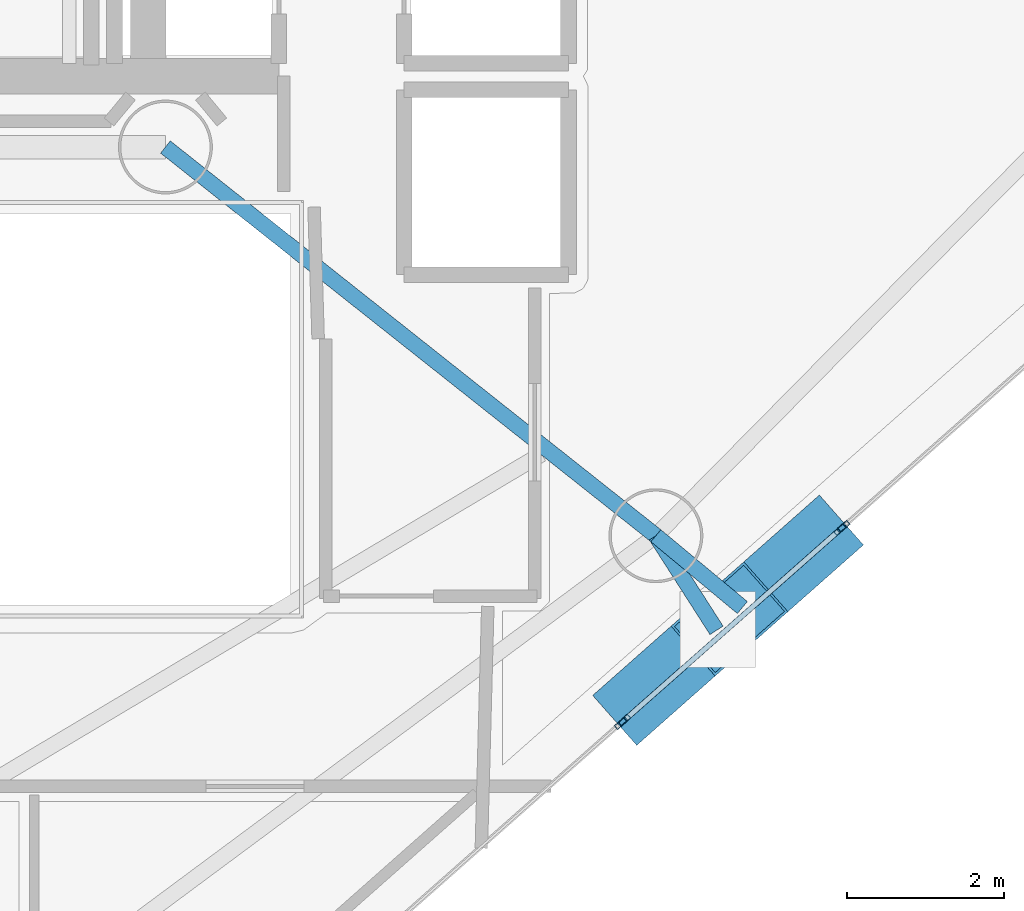
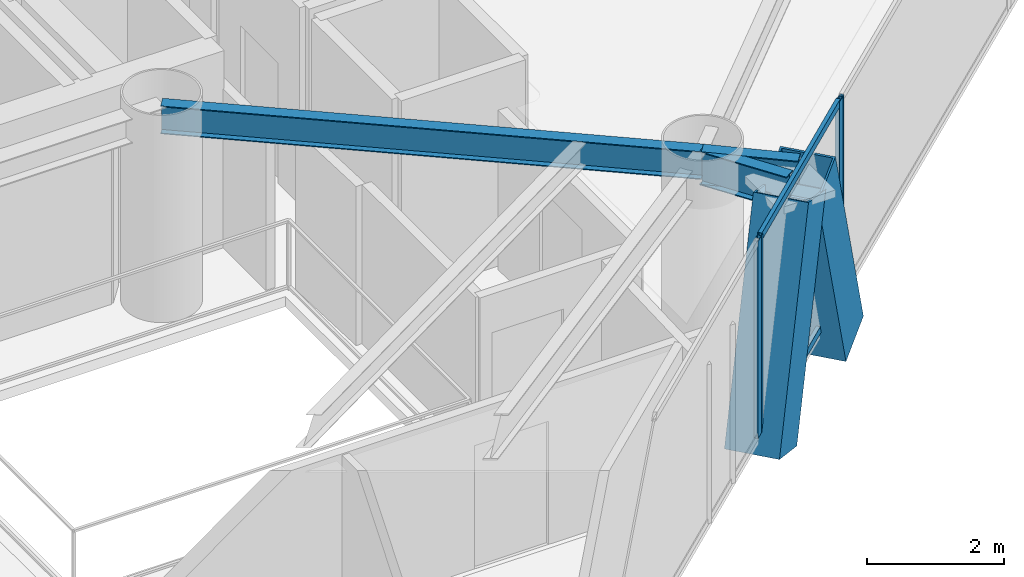
# One storey, part 6 of 23: 8 members, 3 beams, 3 elements without a shape of their own.
"""IFC4 building model written with IfcOpenShell, lengths in metres."""

from ifc_helpers import new_model, si_unit, direction, frame, origin, origin_2d, place, context, subcontext, project, spatial, hollow_rectangle, i_section, extrude, material, layer, layer_set, material_profile, profile_set, type_object, element, aggregate, save


model = new_model("IFC4")

# Units and contexts
model_context = context("Model", 3, precision=1e-05, world=origin(), true_north=direction((0.0, 1.0)))
body_context = subcontext(model_context, "Body", "Model", "MODEL_VIEW")
ifc_project = project(units=[si_unit("LENGTHUNIT", "METRE"), si_unit("AREAUNIT", "SQUARE_METRE"), si_unit("VOLUMEUNIT", "CUBIC_METRE"), si_unit("PLANEANGLEUNIT", "RADIAN"), si_unit("MASSUNIT", "GRAM", prefix="KILO")], contexts=[model_context])

# Site, building, storey
site_placement = place(None, origin())
site = spatial("IfcSite", under=ifc_project, at=site_placement, CompositionType="ELEMENT")
building_placement = place(site_placement, origin())
building = spatial("IfcBuilding", under=site, at=building_placement, Name="Qianvela Tower", CompositionType="ELEMENT")
storey_placement = place(building_placement, frame((0.0, 0.0, 218.800048828125)))
storey = spatial("IfcBuildingStorey", under=building, at=storey_placement, Name="L56", CompositionType="ELEMENT", Elevation=218.800048828125)

# Beams
ifc_material_1 = material(Name="Steel Q355B", Category="steel")
ifc_material_profile_1 = material_profile(ifc_material_1, i_section(OverallWidth=0.199951171875, OverallDepth=0.5, WebThickness=0.010009765625, FlangeThickness=0.01611328125, at=origin_2d()), Name="HN500x200x10x16")
ifc_profile_set_1 = profile_set([ifc_material_profile_1], Name="Steel Q355B")
beam_type_1 = type_object("IfcBeamType", Name="BM-HN500-GIRD", PredefinedType="BEAM", material=ifc_profile_set_1)
beam_placement = place(storey_placement, frame((38.39990234375, 23.85009765625, 3.26806640625), z_axis=(0.783705217119, -0.621132942824, 0.0), x_axis=(0.621132942824, 0.783705217119, 0.0)))
element("IfcBeam", 1, at=beam_placement, inside=storey, type_object=beam_type_1, Name="L56 Radial Primary Floor Girder 6", PredefinedType="BEAM", context=body_context, shape_type="SweptSolid", body=[
    extrude(i_section(OverallWidth=0.199951171875, OverallDepth=0.5, WebThickness=0.010009765625, FlangeThickness=0.01611328125, at=origin_2d()), origin(), (0.0, 0.0, 1.0), 7.996826171875),
])
ifc_material_2 = material(Name="Steel Q355B", Category="steel")
ifc_material_profile_2 = material_profile(ifc_material_2, i_section(OverallWidth=0.199951171875, OverallDepth=0.60009765625, WebThickness=0.010986328125, FlangeThickness=0.01708984375, at=origin_2d()), Name="HN600x200x11x17")
ifc_profile_set_2 = profile_set([ifc_material_profile_2], Name="Steel Q355B")
beam_type_2 = type_object("IfcBeamType", Name="BM-HN600-GIRD", PredefinedType="BEAM", material=ifc_profile_set_2)
for number, where, z_axis, x_axis, name in (
    (2, (44.6669921875, 18.883056640625, 3.218017578125), (0.53966611472, -0.841879138964, 0.0), (0.841879138964, 0.53966611472, 0.0), "L56 Mega-Brace Column Tie Bracket F3-1"),
    (3, (44.6669921875, 18.883056640625, 3.218017578125), (0.769209654704, -0.638996484427, 0.0), (0.638996484427, 0.769209654704, 0.0), "L56 Mega-Brace Column Tie Bracket F3-2"),
):
    element("IfcBeam", number, at=place(storey_placement, frame(where, z_axis=z_axis, x_axis=x_axis)), inside=storey, type_object=beam_type_2, Name=name, PredefinedType="BEAM", context=body_context, shape_type="SweptSolid", body=[
        extrude(i_section(OverallWidth=0.199951171875, OverallDepth=0.60009765625, WebThickness=0.010986328125, FlangeThickness=0.01708984375, at=origin_2d()), origin(), (0.0, 0.0, 1.0), 1.436279296875),
    ])

# Curtain wall, members
ifc_material_3 = material(Name="Anodised Architectural Aluminium and Insulated Spandrel Panel", Category="aluminium")
ifc_layer_1 = layer(ifc_material_3, 0.179931640625)
ifc_layer_set_1 = layer_set([ifc_layer_1], Name="Anodised Architectural Aluminium and Insulated Spandrel Panel")
curtain_wall_type_1 = type_object("IfcCurtainWallType", Name="CW-BRACEBAY", PredefinedType="USERDEFINED", material=ifc_layer_set_1)
curtain_wall_1_placement = place(storey_placement, origin())
curtain_wall_1 = element("IfcCurtainWall", 4, at=curtain_wall_1_placement, inside=storey, type_object=curtain_wall_type_1, Name="L56 CW-BRACEBAY Curtain Wall 06B", ObjectType="CURTAIN_WALL_SYSTEM", PredefinedType="USERDEFINED")
ifc_material_4 = material(Name="Anodised Architectural Aluminium 6063-T6", Category="aluminium")
ifc_material_profile_3 = material_profile(ifc_material_4, hollow_rectangle(XDim=0.06494140625, YDim=0.159912109375, WallThickness=0.0048828125, at=origin_2d()), Name="ALU-MULL-65x160")
ifc_profile_set_3 = profile_set([ifc_material_profile_3], Name="Anodised Architectural Aluminium 6063-T6")
member_type_1 = type_object("IfcMemberType", Name="CW-BRACEBAY-MULL", PredefinedType="MULLION", material=ifc_profile_set_3)
member_1_placement = place(storey_placement, frame((44.264892578125, 16.526611328125, 0.0), z_axis=(0.0, 0.0, 1.0), x_axis=(-0.662265177904, 0.749269533703, 0.0)))
member_1 = element("IfcMember", 5, at=member_1_placement, type_object=member_type_1, Name="CW-9 mullion 1", PredefinedType="MULLION", context=body_context, shape_type="SweptSolid", body=[
    extrude(hollow_rectangle(XDim=0.06494140625, YDim=0.159912109375, WallThickness=0.0048828125, at=origin_2d()), origin(), (0.0, 0.0, 1.0), 3.52001953125),
])
member_2_placement = place(storey_placement, frame((47.0185546875, 18.960693359375, 0.0), z_axis=(0.0, 0.0, 1.0), x_axis=(-0.662265177904, 0.749269533703, 0.0)))
member_2 = element("IfcMember", 6, at=member_2_placement, type_object=member_type_1, Name="CW-9 mullion 2", PredefinedType="MULLION", context=body_context, shape_type="SweptSolid", body=[
    extrude(hollow_rectangle(XDim=0.06494140625, YDim=0.159912109375, WallThickness=0.0048828125, at=origin_2d()), origin(), (0.0, 0.0, 1.0), 3.52001953125),
])
ifc_material_5 = material(Name="Anodised Architectural Aluminium 6063-T6", Category="aluminium")
ifc_material_profile_4 = material_profile(ifc_material_5, hollow_rectangle(XDim=0.06494140625, YDim=0.1298828125, WallThickness=0.00439453125, at=origin_2d()), Name="ALU-TRAN-65x130")
ifc_profile_set_4 = profile_set([ifc_material_profile_4], Name="Anodised Architectural Aluminium 6063-T6")
member_type_2 = type_object("IfcMemberType", Name="CW-BRACEBAY-TRAN", PredefinedType="USERDEFINED", material=ifc_profile_set_4)
member_3_placement = place(storey_placement, frame((44.289306640625, 16.54833984375, 0.032470703125), z_axis=(0.749286940209, 0.662245484116, 0.0), x_axis=(-0.662245484116, 0.749286940209, 0.0)))
member_3 = element("IfcMember", 7, at=member_3_placement, type_object=member_type_2, Name="CW-9 transom 1.1", ObjectType="TRANSOM", PredefinedType="USERDEFINED", context=body_context, shape_type="SweptSolid", body=[
    extrude(hollow_rectangle(XDim=0.06494140625, YDim=0.1298828125, WallThickness=0.00439453125, at=origin_2d()), origin(), (0.0, 0.0, 1.0), 3.60986328125),
])
member_4_placement = place(storey_placement, frame((44.289306640625, 16.54833984375, 3.487548828125), z_axis=(0.749286940209, 0.662245484116, 0.0), x_axis=(-0.662245484116, 0.749286940209, 0.0)))
member_4 = element("IfcMember", 8, at=member_4_placement, type_object=member_type_2, Name="CW-9 transom 1.2", ObjectType="TRANSOM", PredefinedType="USERDEFINED", context=body_context, shape_type="SweptSolid", body=[
    extrude(hollow_rectangle(XDim=0.06494140625, YDim=0.1298828125, WallThickness=0.00439453125, at=origin_2d()), origin(), (0.0, 0.0, 1.0), 3.60986328125),
])
aggregate(curtain_wall_1, [member_1, member_2, member_3, member_4])

# Curtain wall, member
ifc_material_6 = material(Name="Anodised Architectural Aluminium and Low-E Glass", Category="aluminium")
ifc_layer_2 = layer(ifc_material_6, 0.159912109375)
ifc_layer_set_2 = layer_set([ifc_layer_2], Name="Anodised Architectural Aluminium and Low-E Glass")
curtain_wall_type_2 = type_object("IfcCurtainWallType", Name="CW-COLIV-Z56", PredefinedType="USERDEFINED", material=ifc_layer_set_2)
curtain_wall_2_placement = place(storey_placement, origin())
curtain_wall_2 = element("IfcCurtainWall", 9, at=curtain_wall_2_placement, inside=storey, type_object=curtain_wall_type_2, Name="L56 CW-COLIV-Z56 Curtain Wall 06A", ObjectType="CURTAIN_WALL_SYSTEM", PredefinedType="USERDEFINED")
ifc_material_7 = material(Name="Anodised Architectural Aluminium 6063-T6", Category="aluminium")
ifc_material_profile_5 = material_profile(ifc_material_7, hollow_rectangle(XDim=0.06494140625, YDim=0.159912109375, WallThickness=0.0048828125, at=origin_2d()), Name="ALU-MULL-65x160")
ifc_profile_set_5 = profile_set([ifc_material_profile_5], Name="Anodised Architectural Aluminium 6063-T6")
member_type_3 = type_object("IfcMemberType", Name="CW-COLIV-Z56-MULL", PredefinedType="MULLION", material=ifc_profile_set_5)
member_5_placement = place(storey_placement, frame((44.21630859375, 16.483642578125, 0.0), z_axis=(0.0, 0.0, 1.0), x_axis=(-0.662268583192, 0.749266523819, 0.0)))
member_5 = element("IfcMember", 10, at=member_5_placement, type_object=member_type_3, Name="CW-5 mullion 3", PredefinedType="MULLION", context=body_context, shape_type="SweptSolid", body=[
    extrude(hollow_rectangle(XDim=0.06494140625, YDim=0.159912109375, WallThickness=0.0048828125, at=origin_2d()), origin(), (0.0, 0.0, 1.0), 3.52001953125),
])
aggregate(curtain_wall_2, [member_5])

curtain_wall_3_placement = place(storey_placement, origin())
curtain_wall_3 = element("IfcCurtainWall", 11, at=curtain_wall_3_placement, inside=storey, type_object=curtain_wall_type_2, Name="L56 CW-COLIV-Z56 Curtain Wall 06C", ObjectType="CURTAIN_WALL_SYSTEM", PredefinedType="USERDEFINED")
member_6_placement = place(storey_placement, frame((47.067138671875, 19.003662109375, 0.0), z_axis=(0.0, 0.0, 1.0), x_axis=(-0.662268942187, 0.749266206508, 0.0)))
member_6 = element("IfcMember", 12, at=member_6_placement, type_object=member_type_3, Name="CW-5 mullion 1", PredefinedType="MULLION", context=body_context, shape_type="SweptSolid", body=[
    extrude(hollow_rectangle(XDim=0.06494140625, YDim=0.159912109375, WallThickness=0.0048828125, at=origin_2d()), origin(), (0.0, 0.0, 1.0), 3.52001953125),
])
aggregate(curtain_wall_3, [member_6])

# Members
ifc_material_8 = material(Name="Steel Q420GJC", Category="steel")
ifc_material_profile_6 = material_profile(ifc_material_8, hollow_rectangle(XDim=0.85009765625, YDim=0.85009765625, WallThickness=0.031982421875, at=origin_2d()), Name="MBOX-850x850x32")
ifc_profile_set_6 = profile_set([ifc_material_profile_6], Name="Steel Q420GJC")
member_type_4 = type_object("IfcMemberType", Name="MBR-MBRACE-850", PredefinedType="BRACE", material=ifc_profile_set_6)
member_7_placement = place(storey_placement, frame((44.440185546875, 16.788330078125, -0.48193359375), z_axis=(0.254679985074, 0.225079021897, 0.940466660283), x_axis=(-0.662219253422, 0.749310122978, 0.0)))
element("IfcMember", 13, at=member_7_placement, inside=storey, type_object=member_type_4, Name="L56 Tier 9 Exterior Mega-Brace F3A", PredefinedType="BRACE", context=body_context, shape_type="SweptSolid", body=[
    extrude(hollow_rectangle(XDim=0.85009765625, YDim=0.85009765625, WallThickness=0.031982421875, at=origin_2d()), origin(), (0.0, 0.0, 1.0), 3.93408203125),
])
member_8_placement = place(storey_placement, frame((46.736572265625, 18.818115234375, -0.48193359375), z_axis=(-0.246282698552, -0.217678508614, 0.944436815929), x_axis=(0.662254736341, -0.749278762674, 0.0)))
element("IfcMember", 14, at=member_8_placement, inside=storey, type_object=member_type_4, Name="L56 Tier 9 Exterior Mega-Brace F3B", PredefinedType="BRACE", context=body_context, shape_type="SweptSolid", body=[
    extrude(hollow_rectangle(XDim=0.85009765625, YDim=0.85009765625, WallThickness=0.031982421875, at=origin_2d()), origin(), (0.0, 0.0, 1.0), 3.917724609375),
])

save(model, "model.ifc")
